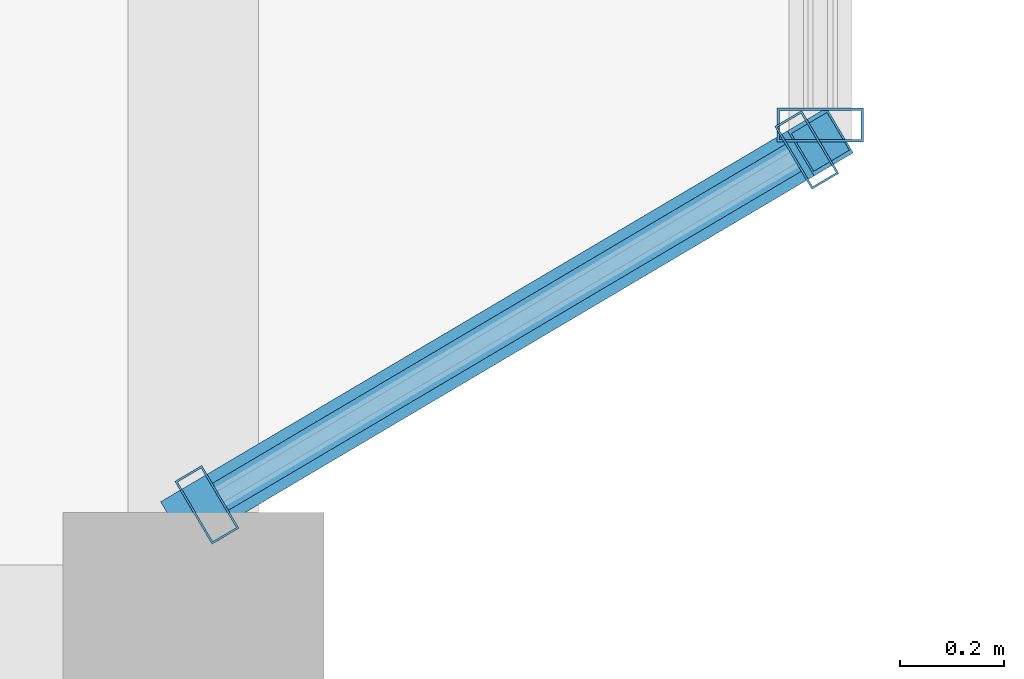
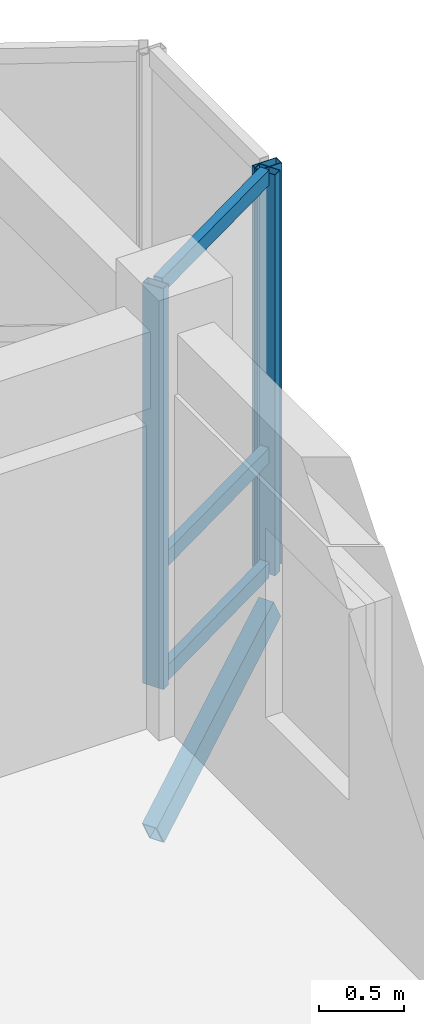
# One storey, part 9 of 65: 7 members, 2 elements without a shape of their own.
"""IFC4 building model written with IfcOpenShell, lengths in metres."""

import ifcopenshell
import ifcopenshell.guid

model = None  # the IFC model being written
_history = None  # IfcOwnerHistory: only IFC2X3 demands one
_inside = {}  # id of a spatial element -> (the spatial element, [elements in it])
_under = {}  # id of a project, library or spatial element -> (it, [spatial elements below it])
_declared = {}  # id of a project -> (the project, [libraries it declares])
_typed = {}  # id of a type object -> (the type object, [elements of that type])
_made_of = {}  # id of a material, layer set ... -> (it, [elements and type objects made of it])


def new_model(schema):
    """Start an empty IFC model of exactly this schema.

    Asked for "IFC4X3", IfcOpenShell would pick the latest addendum, in which some entities
    have other attributes; the version numbers below select the first issue.
    IFC2X3 requires an IfcOwnerHistory on every rooted entity: one is made here for all.
    """
    global model, _history
    if schema == "IFC4X3":
        model = ifcopenshell.file(schema_version=(4, 3, 0, 0))
    else:
        model = ifcopenshell.file(schema=schema)
    _inside.clear()
    _under.clear()
    _declared.clear()
    _typed.clear()
    _made_of.clear()
    _history = None
    if model.schema == "IFC2X3":
        org = make("IfcOrganization", Name="unknown")
        user = make(
            "IfcPersonAndOrganization",
            ThePerson=make("IfcPerson", FamilyName="unknown"),
            TheOrganization=org,
        )
        app = make(
            "IfcApplication",
            ApplicationDeveloper=org,
            Version="unknown",
            ApplicationFullName="unknown",
            ApplicationIdentifier="unknown",
        )
        _history = make(
            "IfcOwnerHistory",
            OwningUser=user,
            OwningApplication=app,
            ChangeAction="ADDED",
            CreationDate=0,
        )
    return model


def make(cls, **values):
    """One entity of the class cls with the attributes given. An attribute that is None is left unset."""
    return model.create_entity(
        cls, **{name: value for name, value in values.items() if value is not None}
    )


def rooted(cls, **values):
    """An entity with a GlobalId (a new one), such as an element, a storey or a relation."""
    return make(cls, GlobalId=ifcopenshell.guid.new(), OwnerHistory=_history, **values)


def si_unit(unit_type, name, prefix=None):
    """IfcSIUnit, for example si_unit("LENGTHUNIT", "METRE", prefix="MILLI")."""
    return make("IfcSIUnit", UnitType=unit_type, Prefix=prefix, Name=name)


def assignment(units):
    """IfcUnitAssignment: the units of a project."""
    return None if units is None else make("IfcUnitAssignment", Units=units)


def point(xyz):
    """IfcCartesianPoint."""
    return None if xyz is None else make("IfcCartesianPoint", Coordinates=xyz)


def direction(xyz):
    """IfcDirection."""
    return None if xyz is None else make("IfcDirection", DirectionRatios=xyz)


def frame(location, z_axis=None, x_axis=None):
    """IfcAxis2Placement3D, a coordinate frame: its origin and axes. An axis left out is left unset."""
    return make(
        "IfcAxis2Placement3D",
        Location=point(location),
        Axis=direction(z_axis),
        RefDirection=direction(x_axis),
    )


def frame_2d(location, x_axis=None):
    """IfcAxis2Placement2D, a coordinate frame in the plane: its origin and x axis."""
    return make(
        "IfcAxis2Placement2D", Location=point(location), RefDirection=direction(x_axis)
    )


def origin():
    """The frame at (0, 0, 0) with its axes left unset."""
    return frame((0.0, 0.0, 0.0))


def origin_2d():
    """The frame at (0, 0) in the plane with its x axis left unset."""
    return frame_2d((0.0, 0.0))


def place(relative_to, where):
    """IfcLocalPlacement: puts the frame where relative to a parent placement (None: the world)."""
    return make(
        "IfcLocalPlacement", PlacementRelTo=relative_to, RelativePlacement=where
    )


def context(
    kind, dimensions, precision=None, world=None, true_north=None, identifier=None
):
    """IfcGeometricRepresentationContext, for example the 3D "Model" context."""
    return make(
        "IfcGeometricRepresentationContext",
        ContextIdentifier=identifier,
        ContextType=kind,
        CoordinateSpaceDimension=dimensions,
        Precision=precision,
        WorldCoordinateSystem=world,
        TrueNorth=true_north,
    )


def subcontext(parent, identifier, kind, view, scale=None):
    """IfcGeometricRepresentationSubContext, for example "Body" below "Model"."""
    return make(
        "IfcGeometricRepresentationSubContext",
        ContextIdentifier=identifier,
        ContextType=kind,
        ParentContext=parent,
        TargetScale=scale,
        TargetView=view,
    )


def project(units=None, contexts=None):
    """IfcProject with its units and contexts."""
    return rooted(
        "IfcProject",
        Name="project",
        RepresentationContexts=contexts,
        UnitsInContext=assignment(units),
    )


def spatial(cls, under=None, at=None, **own):
    """A site, building, storey or space (cls), placed at a placement, below another one or the project."""
    s = rooted(cls, ObjectPlacement=at, **own)
    if under is not None:
        _under.setdefault(under.id(), (under, []))[1].append(s)
    return s


def profile(cls, at=None, kind="AREA", **sizes):
    """A parametric profile (cls). Its sizes go by their IFC names, for example OverallWidth=200.0."""
    return make(cls, ProfileType=kind, Position=at, **sizes)


def hollow_rectangle(**sizes):
    """IfcRectangleHollowProfileDef."""
    return profile("IfcRectangleHollowProfileDef", **sizes)


def extrude(swept, where, along, depth):
    """IfcExtrudedAreaSolid: the profile swept, set in the frame where, extruded along a direction by depth."""
    return make(
        "IfcExtrudedAreaSolid",
        SweptArea=swept,
        Position=where,
        ExtrudedDirection=direction(along),
        Depth=depth,
    )


def shape(context_of_items, identifier, shape_type, items):
    """IfcShapeRepresentation: the items that make up one representation, for example the "Body"."""
    return make(
        "IfcShapeRepresentation",
        ContextOfItems=context_of_items,
        RepresentationIdentifier=identifier,
        RepresentationType=shape_type,
        Items=items,
    )


def material(Name=None, Category=None):
    """IfcMaterial."""
    return make("IfcMaterial", Name=Name, Category=Category)


def layer(
    of_material, thickness, ventilated=None, Name=None, Category=None, Priority=None
):
    """IfcMaterialLayer: one layer of a wall or slab, of a material (None: an air gap)."""
    return make(
        "IfcMaterialLayer",
        Material=of_material,
        LayerThickness=thickness,
        IsVentilated=ventilated,
        Name=Name,
        Category=Category,
        Priority=Priority,
    )


def layer_set(layers, Name=None):
    """IfcMaterialLayerSet."""
    return make("IfcMaterialLayerSet", MaterialLayers=layers, LayerSetName=Name)


def material_profile(
    of_material, cross_section, Name=None, Category=None, Priority=None
):
    """IfcMaterialProfile: a cross section and its material."""
    return make(
        "IfcMaterialProfile",
        Name=Name,
        Material=of_material,
        Profile=cross_section,
        Priority=Priority,
        Category=Category,
    )


def profile_set(profiles, Name=None, composite=None):
    """IfcMaterialProfileSet."""
    return make(
        "IfcMaterialProfileSet",
        Name=Name,
        MaterialProfiles=profiles,
        CompositeProfile=composite,
    )


def made_of(thing, what):
    """Note that an element or type object is made of a material, layer set ...; save() writes the relation."""
    if what is not None:
        _made_of.setdefault(what.id(), (what, []))[1].append(thing)
    return thing


def type_object(cls, material=None, **own):
    """A type object (cls), such as IfcWallType, which elements share."""
    return made_of(rooted(cls, **own), material)


def element(
    cls,
    number,
    at=None,
    inside=None,
    cuts=None,
    type_object=None,
    material=None,
    context=None,
    identifier="Body",
    shape_type=None,
    held_by="IfcProductDefinitionShape",
    body=None,
    shapes=None,
    **own,
):
    """One element of the class cls, such as IfcWall. Its Tag is "e" and its number.

    at: its placement. inside: the storey or other place that contains it. cuts: it is an
    opening in that element (IfcRelVoidsElement). A single representation is given by context,
    identifier, shape_type and body (its items); several are given by shapes. held_by: the class
    of the entity that holds the representations. save() writes the other relations.
    """
    e = rooted(cls, Tag="e%d" % number, ObjectPlacement=at, **own)
    if body is not None:
        shapes = [shape(context, identifier, shape_type, body)]
    if shapes is not None:
        e.Representation = make(held_by, Representations=shapes)
    if inside is not None:
        _inside.setdefault(inside.id(), (inside, []))[1].append(e)
    if cuts is not None:
        rooted(
            "IfcRelVoidsElement", RelatingBuildingElement=cuts, RelatedOpeningElement=e
        )
    if type_object is not None:
        _typed.setdefault(type_object.id(), (type_object, []))[1].append(e)
    return made_of(e, material)


def aggregate(whole, parts):
    """IfcRelAggregates: a whole, such as a stair, and the parts it consists of."""
    return rooted("IfcRelAggregates", RelatingObject=whole, RelatedObjects=parts)


def save(model, path):
    """Write the relations noted so far, then the file.

    IfcRelAggregates (storeys below a building ...), IfcRelContainedInSpatialStructure (elements
    in a storey), IfcRelDefinesByType, IfcRelAssociatesMaterial and IfcRelDeclares: one each for
    every whole, place, type object, material and project.
    """
    for whole, parts in _under.values():
        aggregate(whole, parts)
    for where, things in _inside.values():
        rooted(
            "IfcRelContainedInSpatialStructure",
            RelatedElements=things,
            RelatingStructure=where,
        )
    for kind, things in _typed.values():
        rooted("IfcRelDefinesByType", RelatedObjects=things, RelatingType=kind)
    for what, things in _made_of.values():
        rooted("IfcRelAssociatesMaterial", RelatedObjects=things, RelatingMaterial=what)
    for by, libraries in _declared.values():
        rooted("IfcRelDeclares", RelatingContext=by, RelatedDefinitions=libraries)
    model.write(path)


model = new_model("IFC4")

# Units and contexts
model_context = context("Model", 3, precision=1e-05, world=origin(), true_north=direction((0.0, 1.0)))
body_context = subcontext(model_context, "Body", "Model", "MODEL_VIEW")
ifc_project = project(units=[si_unit("LENGTHUNIT", "METRE"), si_unit("AREAUNIT", "SQUARE_METRE"), si_unit("VOLUMEUNIT", "CUBIC_METRE"), si_unit("PLANEANGLEUNIT", "RADIAN"), si_unit("MASSUNIT", "GRAM", prefix="KILO"), si_unit("THERMODYNAMICTEMPERATUREUNIT", "KELVIN"), si_unit("POWERUNIT", "WATT")], contexts=[model_context])

# Site, building, storey
site_placement = place(None, origin())
site = spatial("IfcSite", under=ifc_project, at=site_placement, CompositionType="ELEMENT")
building_placement = place(site_placement, origin())
building = spatial("IfcBuilding", under=site, at=building_placement, Name="Tavuni Mirador Residences", CompositionType="ELEMENT")
storey_placement = place(building_placement, frame((0.0, 0.0, 29.699951171875)))
storey = spatial("IfcBuildingStorey", under=building, at=storey_placement, Name="L09", CompositionType="ELEMENT", Elevation=29.699951171875)

# Curtain wall, members
ifc_material_1 = material(Name="Anodised aluminium", Category="aluminium")
ifc_layer_1 = layer(ifc_material_1, 0.1650390625, Name="Anodised aluminium", Category="aluminium")
ifc_layer_set_1 = layer_set([ifc_layer_1], Name="Anodised aluminium")
curtain_wall_type_1 = type_object("IfcCurtainWallType", Name="CWT-MIR-A", PredefinedType="NOTDEFINED", material=ifc_layer_set_1)
curtain_wall_1_placement = place(storey_placement, origin())
curtain_wall_1 = element("IfcCurtainWall", 1, at=curtain_wall_1_placement, inside=storey, type_object=curtain_wall_type_1, Name="CW-MIR-A-E2-L09-M1", PredefinedType="NOTDEFINED")
ifc_material_profile_1 = material_profile(ifc_material_1, hollow_rectangle(XDim=0.06005859375, YDim=0.139892578125, WallThickness=0.00390625, at=origin_2d()), Name="ALU 60x140x4.0", Category="aluminium")
ifc_profile_set_1 = profile_set([ifc_material_profile_1], Name="Anodised aluminium")
member_type_1 = type_object("IfcMemberType", Name="CWM-140", PredefinedType="MULLION", material=ifc_profile_set_1)
member_1_placement = place(storey_placement, frame((32.42578125, 21.865234375, 0.0), z_axis=(0.0, 0.0, 1.0), x_axis=(0.860640830284, 0.509212491254, 0.0)))
member_1 = element("IfcMember", 2, at=member_1_placement, type_object=member_type_1, Name="CW-01 mullion 1", PredefinedType="MULLION", context=body_context, shape_type="SweptSolid", body=[
    extrude(hollow_rectangle(XDim=0.06005859375, YDim=0.139892578125, WallThickness=0.00390625, at=origin_2d()), origin(), (0.0, 0.0, 1.0), 2.8701171875),
])
member_2_placement = place(storey_placement, frame((33.57421875, 22.544677734375, 0.0), z_axis=(0.0, 0.0, 1.0), x_axis=(0.860640830284, 0.509212491254, 0.0)))
member_2 = element("IfcMember", 3, at=member_2_placement, type_object=member_type_1, Name="CW-01 mullion 2", PredefinedType="MULLION", context=body_context, shape_type="SweptSolid", body=[
    extrude(hollow_rectangle(XDim=0.06005859375, YDim=0.139892578125, WallThickness=0.00390625, at=origin_2d()), origin(), (0.0, 0.0, 1.0), 2.8701171875),
])

# Curtain wall, member
ifc_layer_2 = layer(ifc_material_1, 0.14990234375, Name="Anodised aluminium", Category="aluminium")
ifc_layer_set_2 = layer_set([ifc_layer_2], Name="Anodised aluminium")
curtain_wall_type_2 = type_object("IfcCurtainWallType", Name="CWT-MIR-B", PredefinedType="NOTDEFINED", material=ifc_layer_set_2)
curtain_wall_2_placement = place(storey_placement, origin())
curtain_wall_2 = element("IfcCurtainWall", 4, at=curtain_wall_2_placement, inside=storey, type_object=curtain_wall_type_2, Name="CW-MIR-A-E2-L09-MF", PredefinedType="NOTDEFINED")
ifc_material_profile_2 = material_profile(ifc_material_1, hollow_rectangle(XDim=0.06494140625, YDim=0.1650390625, WallThickness=0.00439453125, at=origin_2d()), Name="ALU 65x165x4.5", Category="aluminium")
ifc_profile_set_2 = profile_set([ifc_material_profile_2], Name="Anodised aluminium")
member_type_2 = type_object("IfcMemberType", Name="CWM-165", PredefinedType="MULLION", material=ifc_profile_set_2)
member_3_placement = place(storey_placement, frame((33.60009765625, 22.592529296875, 0.0), z_axis=(0.0, 0.0, 1.0), x_axis=(0.0, 1.0, 0.0)))
member_3 = element("IfcMember", 5, at=member_3_placement, type_object=member_type_2, Name="CW-02 mullion 1", PredefinedType="MULLION", context=body_context, shape_type="SweptSolid", body=[
    extrude(hollow_rectangle(XDim=0.06494140625, YDim=0.1650390625, WallThickness=0.00439453125, at=origin_2d()), origin(), (0.0, 0.0, 1.0), 2.8701171875),
])
aggregate(curtain_wall_2, [member_3])

# Member
ifc_material_profile_3 = material_profile(ifc_material_1, hollow_rectangle(XDim=0.06005859375, YDim=0.110107421875, WallThickness=0.00390625, at=origin_2d()), Name="ALU 60x110x4.0", Category="aluminium")
ifc_profile_set_3 = profile_set([ifc_material_profile_3], Name="Anodised aluminium")
member_type_3 = type_object("IfcMemberType", Name="CWT-110", PredefinedType="USERDEFINED", material=ifc_profile_set_3)
member_4_placement = place(storey_placement, frame((32.45166015625, 21.880615234375, 0.030029296875), z_axis=(0.860621238039, 0.509245603452, 0.0), x_axis=(-0.509245603452, 0.860621238039, 0.0)))
member_4 = element("IfcMember", 6, at=member_4_placement, type_object=member_type_3, Name="CW-01 transom 1.1", ObjectType="TRANSOM", PredefinedType="USERDEFINED", context=body_context, shape_type="SweptSolid", body=[
    extrude(hollow_rectangle(XDim=0.06005859375, YDim=0.110107421875, WallThickness=0.00390625, at=origin_2d()), origin(), (0.0, 0.0, 1.0), 1.274169921875),
])

member_5_placement = place(storey_placement, frame((32.45166015625, 21.880615234375, 0.85009765625), z_axis=(0.860621238039, 0.509245603452, 0.0), x_axis=(-0.509245603452, 0.860621238039, 0.0)))
member_5 = element("IfcMember", 7, at=member_5_placement, type_object=member_type_3, Name="CW-01 transom 1.2", ObjectType="TRANSOM", PredefinedType="USERDEFINED", context=body_context, shape_type="SweptSolid", body=[
    extrude(hollow_rectangle(XDim=0.06005859375, YDim=0.110107421875, WallThickness=0.00390625, at=origin_2d()), origin(), (0.0, 0.0, 1.0), 1.274169921875),
])

member_6_placement = place(storey_placement, frame((32.45166015625, 21.880615234375, 2.840087890625), z_axis=(0.860621238039, 0.509245603452, 0.0), x_axis=(-0.509245603452, 0.860621238039, 0.0)))
member_6 = element("IfcMember", 8, at=member_6_placement, type_object=member_type_3, Name="CW-01 transom 1.3", ObjectType="TRANSOM", PredefinedType="USERDEFINED", context=body_context, shape_type="SweptSolid", body=[
    extrude(hollow_rectangle(XDim=0.06005859375, YDim=0.110107421875, WallThickness=0.00390625, at=origin_2d()), origin(), (0.0, 0.0, 1.0), 1.274169921875),
])

aggregate(curtain_wall_1, [member_1, member_2, member_4, member_5, member_6])

ifc_material_2 = material(Name="Structural steel S355", Category="steel")
ifc_material_profile_4 = material_profile(ifc_material_2, hollow_rectangle(XDim=0.10009765625, YDim=0.179931640625, WallThickness=0.008056640625, at=origin_2d()), Name="RHS 180x100x8.0", Category="steel")
ifc_profile_set_4 = profile_set([ifc_material_profile_4], Name="Structural steel S355")
member_type_4 = type_object("IfcMemberType", Name="MT-BR-RHS180", PredefinedType="BRACE", material=ifc_profile_set_4)
member_7_placement = place(storey_placement, frame((32.39990234375, 21.85009765625, -1.050048828125), z_axis=(0.753448798133, 0.445693471312, 0.48339656414), x_axis=(-0.50913035723, 0.860689420957, 0.0)))
element("IfcMember", 9, at=member_7_placement, inside=storey, type_object=member_type_4, Name="MBRK-MIR-A-E2-L09-1", PredefinedType="BRACE", context=body_context, shape_type="SweptSolid", body=[
    extrude(hollow_rectangle(XDim=0.10009765625, YDim=0.179931640625, WallThickness=0.008056640625, at=origin_2d()), origin(), (0.0, 0.0, 1.0), 1.593017578125),
])

save(model, "model.ifc")
